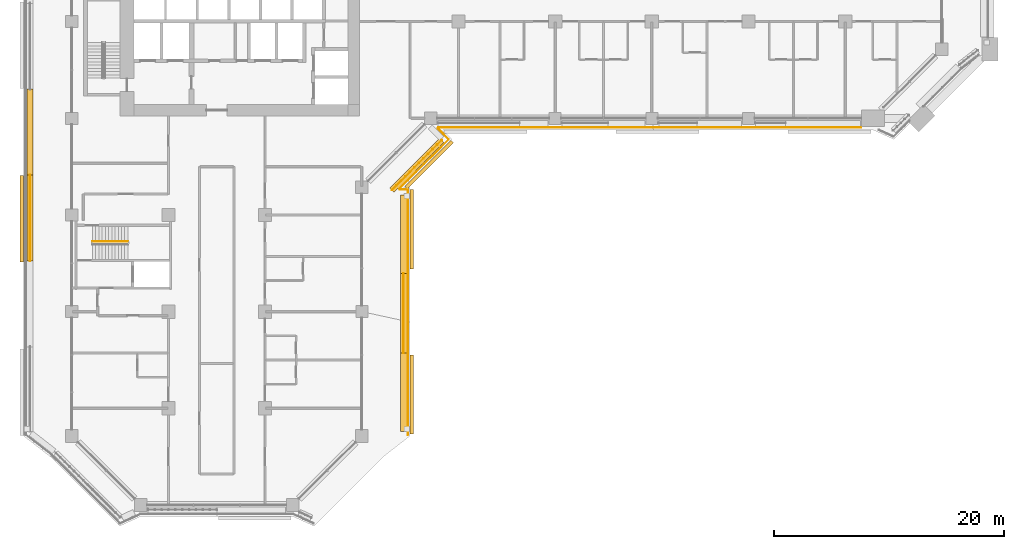
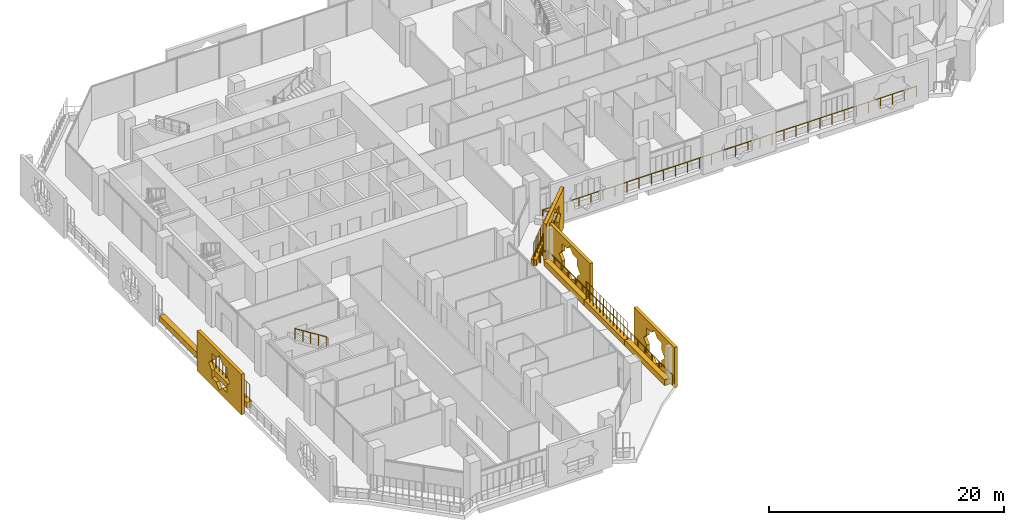
# One storey, part 21 of 27: 10 coverings, 5 railings.
"""IFC4 building model written with IfcOpenShell, lengths in metres."""

import ifcopenshell
import ifcopenshell.guid

model = None  # the IFC model being written
_history = None  # IfcOwnerHistory: only IFC2X3 demands one
_inside = {}  # id of a spatial element -> (the spatial element, [elements in it])
_under = {}  # id of a project, library or spatial element -> (it, [spatial elements below it])
_declared = {}  # id of a project -> (the project, [libraries it declares])
_typed = {}  # id of a type object -> (the type object, [elements of that type])
_made_of = {}  # id of a material, layer set ... -> (it, [elements and type objects made of it])


def new_model(schema):
    """Start an empty IFC model of exactly this schema.

    Asked for "IFC4X3", IfcOpenShell would pick the latest addendum, in which some entities
    have other attributes; the version numbers below select the first issue.
    IFC2X3 requires an IfcOwnerHistory on every rooted entity: one is made here for all.
    """
    global model, _history
    if schema == "IFC4X3":
        model = ifcopenshell.file(schema_version=(4, 3, 0, 0))
    else:
        model = ifcopenshell.file(schema=schema)
    _inside.clear()
    _under.clear()
    _declared.clear()
    _typed.clear()
    _made_of.clear()
    _history = None
    if model.schema == "IFC2X3":
        org = make("IfcOrganization", Name="unknown")
        user = make(
            "IfcPersonAndOrganization",
            ThePerson=make("IfcPerson", FamilyName="unknown"),
            TheOrganization=org,
        )
        app = make(
            "IfcApplication",
            ApplicationDeveloper=org,
            Version="unknown",
            ApplicationFullName="unknown",
            ApplicationIdentifier="unknown",
        )
        _history = make(
            "IfcOwnerHistory",
            OwningUser=user,
            OwningApplication=app,
            ChangeAction="ADDED",
            CreationDate=0,
        )
    return model


def make(cls, **values):
    """One entity of the class cls with the attributes given. An attribute that is None is left unset."""
    return model.create_entity(
        cls, **{name: value for name, value in values.items() if value is not None}
    )


def rooted(cls, **values):
    """An entity with a GlobalId (a new one), such as an element, a storey or a relation."""
    return make(cls, GlobalId=ifcopenshell.guid.new(), OwnerHistory=_history, **values)


def si_unit(unit_type, name, prefix=None):
    """IfcSIUnit, for example si_unit("LENGTHUNIT", "METRE", prefix="MILLI")."""
    return make("IfcSIUnit", UnitType=unit_type, Prefix=prefix, Name=name)


def assignment(units):
    """IfcUnitAssignment: the units of a project."""
    return None if units is None else make("IfcUnitAssignment", Units=units)


def point(xyz):
    """IfcCartesianPoint."""
    return None if xyz is None else make("IfcCartesianPoint", Coordinates=xyz)


def direction(xyz):
    """IfcDirection."""
    return None if xyz is None else make("IfcDirection", DirectionRatios=xyz)


def frame(location, z_axis=None, x_axis=None):
    """IfcAxis2Placement3D, a coordinate frame: its origin and axes. An axis left out is left unset."""
    return make(
        "IfcAxis2Placement3D",
        Location=point(location),
        Axis=direction(z_axis),
        RefDirection=direction(x_axis),
    )


def frame_2d(location, x_axis=None):
    """IfcAxis2Placement2D, a coordinate frame in the plane: its origin and x axis."""
    return make(
        "IfcAxis2Placement2D", Location=point(location), RefDirection=direction(x_axis)
    )


def origin():
    """The frame at (0, 0, 0) with its axes left unset."""
    return frame((0.0, 0.0, 0.0))


def origin_2d():
    """The frame at (0, 0) in the plane with its x axis left unset."""
    return frame_2d((0.0, 0.0))


def place(relative_to, where):
    """IfcLocalPlacement: puts the frame where relative to a parent placement (None: the world)."""
    return make(
        "IfcLocalPlacement", PlacementRelTo=relative_to, RelativePlacement=where
    )


def context(
    kind, dimensions, precision=None, world=None, true_north=None, identifier=None
):
    """IfcGeometricRepresentationContext, for example the 3D "Model" context."""
    return make(
        "IfcGeometricRepresentationContext",
        ContextIdentifier=identifier,
        ContextType=kind,
        CoordinateSpaceDimension=dimensions,
        Precision=precision,
        WorldCoordinateSystem=world,
        TrueNorth=true_north,
    )


def subcontext(parent, identifier, kind, view, scale=None):
    """IfcGeometricRepresentationSubContext, for example "Body" below "Model"."""
    return make(
        "IfcGeometricRepresentationSubContext",
        ContextIdentifier=identifier,
        ContextType=kind,
        ParentContext=parent,
        TargetScale=scale,
        TargetView=view,
    )


def project(units=None, contexts=None):
    """IfcProject with its units and contexts."""
    return rooted(
        "IfcProject",
        Name="project",
        RepresentationContexts=contexts,
        UnitsInContext=assignment(units),
    )


def spatial(cls, under=None, at=None, **own):
    """A site, building, storey or space (cls), placed at a placement, below another one or the project."""
    s = rooted(cls, ObjectPlacement=at, **own)
    if under is not None:
        _under.setdefault(under.id(), (under, []))[1].append(s)
    return s


def polyline(points):
    """IfcPolyline through the points."""
    return make("IfcPolyline", Points=[point(p) for p in points])


def profile(cls, at=None, kind="AREA", **sizes):
    """A parametric profile (cls). Its sizes go by their IFC names, for example OverallWidth=200.0."""
    return make(cls, ProfileType=kind, Position=at, **sizes)


def rectangle(**sizes):
    """IfcRectangleProfileDef."""
    return profile("IfcRectangleProfileDef", **sizes)


def circle(**sizes):
    """IfcCircleProfileDef."""
    return profile("IfcCircleProfileDef", **sizes)


def outline(outer, holes=None, kind="AREA"):
    """IfcArbitraryClosedProfileDef: a profile drawn as a closed curve; with holes, ...WithVoids."""
    if holes is None:
        return make("IfcArbitraryClosedProfileDef", ProfileType=kind, OuterCurve=outer)
    return make(
        "IfcArbitraryProfileDefWithVoids",
        ProfileType=kind,
        OuterCurve=outer,
        InnerCurves=holes,
    )


def extrude(swept, where, along, depth):
    """IfcExtrudedAreaSolid: the profile swept, set in the frame where, extruded along a direction by depth."""
    return make(
        "IfcExtrudedAreaSolid",
        SweptArea=swept,
        Position=where,
        ExtrudedDirection=direction(along),
        Depth=depth,
    )


def shape(context_of_items, identifier, shape_type, items):
    """IfcShapeRepresentation: the items that make up one representation, for example the "Body"."""
    return make(
        "IfcShapeRepresentation",
        ContextOfItems=context_of_items,
        RepresentationIdentifier=identifier,
        RepresentationType=shape_type,
        Items=items,
    )


def material(Name=None, Category=None):
    """IfcMaterial."""
    return make("IfcMaterial", Name=Name, Category=Category)


def material_profile(
    of_material, cross_section, Name=None, Category=None, Priority=None
):
    """IfcMaterialProfile: a cross section and its material."""
    return make(
        "IfcMaterialProfile",
        Name=Name,
        Material=of_material,
        Profile=cross_section,
        Priority=Priority,
        Category=Category,
    )


def profile_set(profiles, Name=None, composite=None):
    """IfcMaterialProfileSet."""
    return make(
        "IfcMaterialProfileSet",
        Name=Name,
        MaterialProfiles=profiles,
        CompositeProfile=composite,
    )


def made_of(thing, what):
    """Note that an element or type object is made of a material, layer set ...; save() writes the relation."""
    if what is not None:
        _made_of.setdefault(what.id(), (what, []))[1].append(thing)
    return thing


def type_object(cls, material=None, **own):
    """A type object (cls), such as IfcWallType, which elements share."""
    return made_of(rooted(cls, **own), material)


def element(
    cls,
    number,
    at=None,
    inside=None,
    cuts=None,
    type_object=None,
    material=None,
    context=None,
    identifier="Body",
    shape_type=None,
    held_by="IfcProductDefinitionShape",
    body=None,
    shapes=None,
    **own,
):
    """One element of the class cls, such as IfcWall. Its Tag is "e" and its number.

    at: its placement. inside: the storey or other place that contains it. cuts: it is an
    opening in that element (IfcRelVoidsElement). A single representation is given by context,
    identifier, shape_type and body (its items); several are given by shapes. held_by: the class
    of the entity that holds the representations. save() writes the other relations.
    """
    e = rooted(cls, Tag="e%d" % number, ObjectPlacement=at, **own)
    if body is not None:
        shapes = [shape(context, identifier, shape_type, body)]
    if shapes is not None:
        e.Representation = make(held_by, Representations=shapes)
    if inside is not None:
        _inside.setdefault(inside.id(), (inside, []))[1].append(e)
    if cuts is not None:
        rooted(
            "IfcRelVoidsElement", RelatingBuildingElement=cuts, RelatedOpeningElement=e
        )
    if type_object is not None:
        _typed.setdefault(type_object.id(), (type_object, []))[1].append(e)
    return made_of(e, material)


def aggregate(whole, parts):
    """IfcRelAggregates: a whole, such as a stair, and the parts it consists of."""
    return rooted("IfcRelAggregates", RelatingObject=whole, RelatedObjects=parts)


def save(model, path):
    """Write the relations noted so far, then the file.

    IfcRelAggregates (storeys below a building ...), IfcRelContainedInSpatialStructure (elements
    in a storey), IfcRelDefinesByType, IfcRelAssociatesMaterial and IfcRelDeclares: one each for
    every whole, place, type object, material and project.
    """
    for whole, parts in _under.values():
        aggregate(whole, parts)
    for where, things in _inside.values():
        rooted(
            "IfcRelContainedInSpatialStructure",
            RelatedElements=things,
            RelatingStructure=where,
        )
    for kind, things in _typed.values():
        rooted("IfcRelDefinesByType", RelatedObjects=things, RelatingType=kind)
    for what, things in _made_of.values():
        rooted("IfcRelAssociatesMaterial", RelatedObjects=things, RelatingMaterial=what)
    for by, libraries in _declared.values():
        rooted("IfcRelDeclares", RelatingContext=by, RelatedDefinitions=libraries)
    model.write(path)


model = new_model("IFC4")

# Units and contexts
model_context = context("Model", 3, precision=1e-05, world=origin(), true_north=direction((0.0, 1.0)))
body_context = subcontext(model_context, "Body", "Model", "MODEL_VIEW")
ifc_project = project(units=[si_unit("LENGTHUNIT", "METRE"), si_unit("AREAUNIT", "SQUARE_METRE"), si_unit("VOLUMEUNIT", "CUBIC_METRE"), si_unit("PLANEANGLEUNIT", "RADIAN"), si_unit("MASSUNIT", "GRAM", prefix="KILO")], contexts=[model_context])

# Site, building, storey
site_placement = place(None, origin())
site = spatial("IfcSite", under=ifc_project, at=site_placement, CompositionType="ELEMENT")
building_placement = place(site_placement, origin())
building = spatial("IfcBuilding", under=site, at=building_placement, Name="Kawkab Arch Medical Tower", CompositionType="ELEMENT")
storey_placement = place(building_placement, frame((0.0, 0.0, 115.60009765625)))
storey = spatial("IfcBuildingStorey", under=building, at=storey_placement, Name="L26", CompositionType="ELEMENT", Elevation=115.60009765625)

# Railing
ifc_material_1 = material(Name="Bronze anodised aluminium guard", Category="aluminium")
railing_type_1 = type_object("IfcRailingType", Name="Loggia and terrace guard 1100", PredefinedType="GUARDRAIL", material=ifc_material_1)
railing_1_placement = place(storey_placement, frame((68.570068359375, -26.0, 0.0)))
element("IfcRailing", 1, at=railing_1_placement, inside=storey, type_object=railing_type_1, Name="Guard L26.LOG-01.1.8", PredefinedType="GUARDRAIL", context=body_context, shape_type="SweptSolid", body=[
    extrude(circle(Radius=0.02392578125, at=origin_2d()), frame((0.0, 0.0, 1.076171875), z_axis=(-1.0, 0.0, 0.0), x_axis=(0.0, -1.0, 0.0)), (0.0, 0.0, 1.0), 36.719970703125),
    extrude(circle(Radius=0.02392578125, at=origin_2d()), frame((-36.719970703125, 0.0, 1.076171875), z_axis=(-0.383763674343, -0.923431341387, 0.0), x_axis=(0.923431341387, -0.383763674343, 0.0)), (0.0, 0.0, 1.0), 0.101806640625),
    extrude(circle(Radius=0.02392578125, at=origin_2d()), frame((-36.759033203125, -0.093994140625, 1.076171875), z_axis=(0.707015335112, -0.707198215437, 0.0), x_axis=(0.707198215437, 0.707015335112, 0.0)), (0.0, 0.0, 1.0), 1.3349609375),
    extrude(circle(Radius=0.02392578125, at=origin_2d()), frame((-35.815185546875, -1.0380859375, 1.076171875), z_axis=(-0.707025867263, -0.707187685852, 0.0), x_axis=(0.707187685852, -0.707025867263, 0.0)), (0.0, 0.0, 1.0), 6.034912109375),
    extrude(circle(Radius=0.02392578125, at=origin_2d()), frame((-40.08203125, -5.305908203125, 1.076171875), z_axis=(0.383763674343, -0.923431341387, 0.0), x_axis=(0.923431341387, 0.383763674343, 0.0)), (0.0, 0.0, 1.0), 0.101806640625),
    extrude(circle(Radius=0.02392578125, at=origin_2d()), frame((-40.04296875, -5.39990234375, 1.076171875), z_axis=(1.0, 0.0, 0.0), x_axis=(0.0, 1.0, 0.0)), (0.0, 0.0, 1.0), 0.6728515625),
    extrude(circle(Radius=0.02392578125, at=origin_2d()), frame((-39.3701171875, -5.39990234375, 1.076171875), z_axis=(0.0, -1.0, 0.0), x_axis=(1.0, 0.0, 0.0)), (0.0, 0.0, 1.0), 21.302001953125),
    extrude(circle(Radius=0.02099609375, at=origin_2d()), origin(), (0.0, 0.0, 1.0), 1.052001953125),
    extrude(circle(Radius=0.02099609375, at=origin_2d()), frame((-1.1845703125, 0.0, 0.0)), (0.0, 0.0, 1.0), 1.052001953125),
    extrude(circle(Radius=0.02099609375, at=origin_2d()), frame((-2.369140625, 0.0, 0.0)), (0.0, 0.0, 1.0), 1.052001953125),
    extrude(circle(Radius=0.02099609375, at=origin_2d()), frame((-3.553466796875, 0.0, 0.0)), (0.0, 0.0, 1.0), 1.052001953125),
    extrude(circle(Radius=0.02099609375, at=origin_2d()), frame((-4.738037109375, 0.0, 0.0)), (0.0, 0.0, 1.0), 1.052001953125),
    extrude(circle(Radius=0.02099609375, at=origin_2d()), frame((-5.922607421875, 0.0, 0.0)), (0.0, 0.0, 1.0), 1.052001953125),
    extrude(circle(Radius=0.02099609375, at=origin_2d()), frame((-7.107177734375, 0.0, 0.0)), (0.0, 0.0, 1.0), 1.052001953125),
    extrude(circle(Radius=0.02099609375, at=origin_2d()), frame((-8.29150390625, 0.0, 0.0)), (0.0, 0.0, 1.0), 1.052001953125),
    extrude(circle(Radius=0.02099609375, at=origin_2d()), frame((-9.47607421875, 0.0, 0.0)), (0.0, 0.0, 1.0), 1.052001953125),
    extrude(circle(Radius=0.02099609375, at=origin_2d()), frame((-10.66064453125, 0.0, 0.0)), (0.0, 0.0, 1.0), 1.052001953125),
    extrude(circle(Radius=0.02099609375, at=origin_2d()), frame((-11.84521484375, 0.0, 0.0)), (0.0, 0.0, 1.0), 1.052001953125),
    extrude(circle(Radius=0.02099609375, at=origin_2d()), frame((-13.02978515625, 0.0, 0.0)), (0.0, 0.0, 1.0), 1.052001953125),
    extrude(circle(Radius=0.02099609375, at=origin_2d()), frame((-14.214111328125, 0.0, 0.0)), (0.0, 0.0, 1.0), 1.052001953125),
    extrude(circle(Radius=0.02099609375, at=origin_2d()), frame((-15.398681640625, 0.0, 0.0)), (0.0, 0.0, 1.0), 1.052001953125),
    extrude(circle(Radius=0.02099609375, at=origin_2d()), frame((-16.583251953125, 0.0, 0.0)), (0.0, 0.0, 1.0), 1.052001953125),
    extrude(circle(Radius=0.02099609375, at=origin_2d()), frame((-17.767822265625, 0.0, 0.0)), (0.0, 0.0, 1.0), 1.052001953125),
    extrude(circle(Radius=0.02099609375, at=origin_2d()), frame((-18.9521484375, 0.0, 0.0)), (0.0, 0.0, 1.0), 1.052001953125),
    extrude(circle(Radius=0.02099609375, at=origin_2d()), frame((-20.13671875, 0.0, 0.0)), (0.0, 0.0, 1.0), 1.052001953125),
    extrude(circle(Radius=0.02099609375, at=origin_2d()), frame((-21.3212890625, 0.0, 0.0)), (0.0, 0.0, 1.0), 1.052001953125),
    extrude(circle(Radius=0.02099609375, at=origin_2d()), frame((-22.505859375, 0.0, 0.0)), (0.0, 0.0, 1.0), 1.052001953125),
    extrude(circle(Radius=0.02099609375, at=origin_2d()), frame((-23.690185546875, 0.0, 0.0)), (0.0, 0.0, 1.0), 1.052001953125),
    extrude(circle(Radius=0.02099609375, at=origin_2d()), frame((-24.874755859375, 0.0, 0.0)), (0.0, 0.0, 1.0), 1.052001953125),
    extrude(circle(Radius=0.02099609375, at=origin_2d()), frame((-26.059326171875, 0.0, 0.0)), (0.0, 0.0, 1.0), 1.052001953125),
    extrude(circle(Radius=0.02099609375, at=origin_2d()), frame((-27.243896484375, 0.0, 0.0)), (0.0, 0.0, 1.0), 1.052001953125),
    extrude(circle(Radius=0.02099609375, at=origin_2d()), frame((-28.428466796875, 0.0, 0.0)), (0.0, 0.0, 1.0), 1.052001953125),
    extrude(circle(Radius=0.02099609375, at=origin_2d()), frame((-29.61279296875, 0.0, 0.0)), (0.0, 0.0, 1.0), 1.052001953125),
    extrude(circle(Radius=0.02099609375, at=origin_2d()), frame((-30.79736328125, 0.0, 0.0)), (0.0, 0.0, 1.0), 1.052001953125),
    extrude(circle(Radius=0.02099609375, at=origin_2d()), frame((-31.98193359375, 0.0, 0.0)), (0.0, 0.0, 1.0), 1.052001953125),
    extrude(circle(Radius=0.02099609375, at=origin_2d()), frame((-33.16650390625, 0.0, 0.0)), (0.0, 0.0, 1.0), 1.052001953125),
    extrude(circle(Radius=0.02099609375, at=origin_2d()), frame((-34.350830078125, 0.0, 0.0)), (0.0, 0.0, 1.0), 1.052001953125),
    extrude(circle(Radius=0.02099609375, at=origin_2d()), frame((-35.535400390625, 0.0, 0.0)), (0.0, 0.0, 1.0), 1.052001953125),
    extrude(circle(Radius=0.02099609375, at=origin_2d()), frame((-36.719970703125, 0.0, 0.0)), (0.0, 0.0, 1.0), 1.052001953125),
    extrude(circle(Radius=0.02099609375, at=origin_2d()), frame((-36.759033203125, -0.093994140625, 0.0)), (0.0, 0.0, 1.0), 1.052001953125),
    extrude(circle(Radius=0.02099609375, at=origin_2d()), frame((-36.287109375, -0.56591796875, 0.0)), (0.0, 0.0, 1.0), 1.052001953125),
    extrude(circle(Radius=0.02099609375, at=origin_2d()), frame((-35.815185546875, -1.0380859375, 0.0)), (0.0, 0.0, 1.0), 1.052001953125),
    extrude(circle(Radius=0.02099609375, at=origin_2d()), frame((-36.5263671875, -1.74951171875, 0.0)), (0.0, 0.0, 1.0), 1.052001953125),
    extrude(circle(Radius=0.02099609375, at=origin_2d()), frame((-37.237548828125, -2.460693359375, 0.0)), (0.0, 0.0, 1.0), 1.052001953125),
    extrude(circle(Radius=0.02099609375, at=origin_2d()), frame((-37.94873046875, -3.171875, 0.0)), (0.0, 0.0, 1.0), 1.052001953125),
    extrude(circle(Radius=0.02099609375, at=origin_2d()), frame((-38.65966796875, -3.88330078125, 0.0)), (0.0, 0.0, 1.0), 1.052001953125),
    extrude(circle(Radius=0.02099609375, at=origin_2d()), frame((-39.370849609375, -4.5947265625, 0.0)), (0.0, 0.0, 1.0), 1.052001953125),
    extrude(circle(Radius=0.02099609375, at=origin_2d()), frame((-40.08203125, -5.305908203125, 0.0)), (0.0, 0.0, 1.0), 1.052001953125),
    extrude(circle(Radius=0.02099609375, at=origin_2d()), frame((-40.04296875, -5.39990234375, 0.0)), (0.0, 0.0, 1.0), 1.052001953125),
    extrude(circle(Radius=0.02099609375, at=origin_2d()), frame((-39.3701171875, -5.39990234375, 0.0)), (0.0, 0.0, 1.0), 1.052001953125),
    extrude(circle(Radius=0.02099609375, at=origin_2d()), frame((-39.3701171875, -6.583251953125, 0.0)), (0.0, 0.0, 1.0), 1.052001953125),
    extrude(circle(Radius=0.02099609375, at=origin_2d()), frame((-39.3701171875, -7.766845703125, 0.0)), (0.0, 0.0, 1.0), 1.052001953125),
    extrude(circle(Radius=0.02099609375, at=origin_2d()), frame((-39.3701171875, -8.9501953125, 0.0)), (0.0, 0.0, 1.0), 1.052001953125),
    extrude(circle(Radius=0.02099609375, at=origin_2d()), frame((-39.3701171875, -10.1337890625, 0.0)), (0.0, 0.0, 1.0), 1.052001953125),
    extrude(circle(Radius=0.02099609375, at=origin_2d()), frame((-39.3701171875, -11.317138671875, 0.0)), (0.0, 0.0, 1.0), 1.052001953125),
    extrude(circle(Radius=0.02099609375, at=origin_2d()), frame((-39.3701171875, -12.50048828125, 0.0)), (0.0, 0.0, 1.0), 1.052001953125),
    extrude(circle(Radius=0.02099609375, at=origin_2d()), frame((-39.3701171875, -13.68408203125, 0.0)), (0.0, 0.0, 1.0), 1.052001953125),
    extrude(circle(Radius=0.02099609375, at=origin_2d()), frame((-39.3701171875, -14.867431640625, 0.0)), (0.0, 0.0, 1.0), 1.052001953125),
    extrude(circle(Radius=0.02099609375, at=origin_2d()), frame((-39.3701171875, -16.05078125, 0.0)), (0.0, 0.0, 1.0), 1.052001953125),
    extrude(circle(Radius=0.02099609375, at=origin_2d()), frame((-39.3701171875, -17.234375, 0.0)), (0.0, 0.0, 1.0), 1.052001953125),
    extrude(circle(Radius=0.02099609375, at=origin_2d()), frame((-39.3701171875, -18.417724609375, 0.0)), (0.0, 0.0, 1.0), 1.052001953125),
    extrude(circle(Radius=0.02099609375, at=origin_2d()), frame((-39.3701171875, -19.601318359375, 0.0)), (0.0, 0.0, 1.0), 1.052001953125),
    extrude(circle(Radius=0.02099609375, at=origin_2d()), frame((-39.3701171875, -20.78466796875, 0.0)), (0.0, 0.0, 1.0), 1.052001953125),
    extrude(circle(Radius=0.02099609375, at=origin_2d()), frame((-39.3701171875, -21.968017578125, 0.0)), (0.0, 0.0, 1.0), 1.052001953125),
    extrude(circle(Radius=0.02099609375, at=origin_2d()), frame((-39.3701171875, -23.151611328125, 0.0)), (0.0, 0.0, 1.0), 1.052001953125),
    extrude(circle(Radius=0.02099609375, at=origin_2d()), frame((-39.3701171875, -24.3349609375, 0.0)), (0.0, 0.0, 1.0), 1.052001953125),
    extrude(circle(Radius=0.02099609375, at=origin_2d()), frame((-39.3701171875, -25.5185546875, 0.0)), (0.0, 0.0, 1.0), 1.052001953125),
    extrude(circle(Radius=0.02099609375, at=origin_2d()), frame((-39.3701171875, -26.701904296875, 0.0)), (0.0, 0.0, 1.0), 1.052001953125),
])

# Coverings
ifc_material_2 = material(Name="Bronze anodised aluminium mashrabiya panel, eight-point star pattern", Category="aluminium")
ifc_material_profile_1 = material_profile(ifc_material_2, outline(polyline([(-2.85009765625, -2.10009765625), (2.85009765625, -2.10009765625), (2.85009765625, 2.10009765625), (-2.85009765625, 2.10009765625), (-2.85009765625, -2.10009765625)]), holes=[polyline([(1.800048828125, 0.0), (1.272705078125, 0.527099609375), (1.272705078125, 1.272705078125), (0.527099609375, 1.272705078125), (0.0, 1.800048828125), (-0.527099609375, 1.272705078125), (-1.272705078125, 1.272705078125), (-1.272705078125, 0.527099609375), (-1.800048828125, 0.0), (-1.272705078125, -0.527099609375), (-1.272705078125, -1.272705078125), (-0.527099609375, -1.272705078125), (0.0, -1.800048828125), (0.527099609375, -1.272705078125), (1.272705078125, -1.272705078125), (1.272705078125, -0.527099609375), (1.800048828125, 0.0)])]), Name="Mashrabiya panel 5700x4200")
ifc_profile_set_1 = profile_set([ifc_material_profile_1], Name="Bronze anodised aluminium mashrabiya panel, eight-point star pattern")
covering_type_1 = type_object("IfcCoveringType", Name="Mashrabiya panel 5700 x 4200", PredefinedType="USERDEFINED", material=ifc_profile_set_1)
covering_1_placement = place(storey_placement, frame((30.94775390625, -29.128662109375, 1.699951171875), z_axis=(0.707106781187, -0.707106781187, 0.0), x_axis=(0.707106781187, 0.707106781187, 0.0)))
element("IfcCovering", 2, at=covering_1_placement, inside=storey, type_object=covering_type_1, Name="Mashrabiya panel L26.LOG-01-01.14", ObjectType="SCREEN", PredefinedType="USERDEFINED", context=body_context, shape_type="SweptSolid", body=[
    extrude(outline(polyline([(-2.85009765625, -2.10009765625), (2.85009765625, -2.10009765625), (2.85009765625, 2.10009765625), (-2.85009765625, 2.10009765625), (-2.85009765625, -2.10009765625)]), holes=[polyline([(1.800048828125, 0.0), (1.272705078125, 0.527099609375), (1.272705078125, 1.272705078125), (0.527099609375, 1.272705078125), (0.0, 1.800048828125), (-0.527099609375, 1.272705078125), (-1.272705078125, 1.272705078125), (-1.272705078125, 0.527099609375), (-1.800048828125, 0.0), (-1.272705078125, -0.527099609375), (-1.272705078125, -1.272705078125), (-0.527099609375, -1.272705078125), (0.0, -1.800048828125), (0.527099609375, -1.272705078125), (1.272705078125, -1.272705078125), (1.272705078125, -0.527099609375), (1.800048828125, 0.0)])]), origin(), (0.0, 0.0, 1.0), 0.300048828125),
])
ifc_material_3 = material(Name="Bronze anodised aluminium mashrabiya panel, eight-point star pattern", Category="aluminium")
ifc_material_profile_2 = material_profile(ifc_material_3, outline(polyline([(-3.449951171875, -2.10009765625), (3.449951171875, -2.10009765625), (3.449951171875, 2.10009765625), (-3.449951171875, 2.10009765625), (-3.449951171875, -2.10009765625)]), holes=[polyline([(1.800048828125, 0.0), (1.272705078125, 0.527099609375), (1.272705078125, 1.272705078125), (0.527099609375, 1.272705078125), (0.0, 1.800048828125), (-0.527099609375, 1.272705078125), (-1.272705078125, 1.272705078125), (-1.272705078125, 0.527099609375), (-1.800048828125, 0.0), (-1.272705078125, -0.527099609375), (-1.272705078125, -1.272705078125), (-0.527099609375, -1.272705078125), (0.0, -1.800048828125), (0.527099609375, -1.272705078125), (1.272705078125, -1.272705078125), (1.272705078125, -0.527099609375), (1.800048828125, 0.0)])]), Name="Mashrabiya panel 6900x4200")
ifc_profile_set_2 = profile_set([ifc_material_profile_2], Name="Bronze anodised aluminium mashrabiya panel, eight-point star pattern")
covering_type_2 = type_object("IfcCoveringType", Name="Mashrabiya panel 6900 x 4200", PredefinedType="USERDEFINED", material=ifc_profile_set_2)
for number, where, z_axis, x_axis, name in (
    (3, (29.39990234375, -34.827392578125, 1.699951171875), (1.0, 0.0, 0.0), (0.0, 1.0, 0.0), "Mashrabiya panel L26.LOG-01-01.15"),
    (4, (29.39990234375, -49.197509765625, 1.699951171875), (1.0, 0.0, 0.0), (0.0, 1.0, 0.0), "Mashrabiya panel L26.LOG-01-01.16"),
):
    element("IfcCovering", number, at=place(storey_placement, frame(where, z_axis=z_axis, x_axis=x_axis)), inside=storey, type_object=covering_type_2, Name=name, ObjectType="SCREEN", PredefinedType="USERDEFINED", context=body_context, shape_type="SweptSolid", body=[
        extrude(outline(polyline([(-3.449951171875, -2.10009765625), (3.449951171875, -2.10009765625), (3.449951171875, 2.10009765625), (-3.449951171875, 2.10009765625), (-3.449951171875, -2.10009765625)]), holes=[polyline([(1.800048828125, 0.0), (1.272705078125, 0.527099609375), (1.272705078125, 1.272705078125), (0.527099609375, 1.272705078125), (0.0, 1.800048828125), (-0.527099609375, 1.272705078125), (-1.272705078125, 1.272705078125), (-1.272705078125, 0.527099609375), (-1.800048828125, 0.0), (-1.272705078125, -0.527099609375), (-1.272705078125, -1.272705078125), (-0.527099609375, -1.272705078125), (0.0, -1.800048828125), (0.527099609375, -1.272705078125), (1.272705078125, -1.272705078125), (1.272705078125, -0.527099609375), (1.800048828125, 0.0)])]), origin(), (0.0, 0.0, 1.0), 0.300048828125),
    ])
ifc_material_4 = material(Name="Bronze anodised aluminium mashrabiya panel, eight-point star pattern", Category="aluminium")
ifc_material_profile_3 = material_profile(ifc_material_4, outline(polyline([(-3.75, -2.10009765625), (3.75, -2.10009765625), (3.75, 2.10009765625), (-3.75, 2.10009765625), (-3.75, -2.10009765625)]), holes=[polyline([(1.800048828125, 0.0), (1.272705078125, 0.527099609375), (1.272705078125, 1.272705078125), (0.527099609375, 1.272705078125), (0.0, 1.800048828125), (-0.527099609375, 1.272705078125), (-1.272705078125, 1.272705078125), (-1.272705078125, 0.527099609375), (-1.800048828125, 0.0), (-1.272705078125, -0.527099609375), (-1.272705078125, -1.272705078125), (-0.527099609375, -1.272705078125), (0.0, -1.800048828125), (0.527099609375, -1.272705078125), (1.272705078125, -1.272705078125), (1.272705078125, -0.527099609375), (1.800048828125, 0.0)])]), Name="Mashrabiya panel 7500x4200")
ifc_profile_set_3 = profile_set([ifc_material_profile_3], Name="Bronze anodised aluminium mashrabiya panel, eight-point star pattern")
covering_type_3 = type_object("IfcCoveringType", Name="Mashrabiya panel 7500 x 4200", PredefinedType="USERDEFINED", material=ifc_profile_set_3)
covering_2_placement = place(storey_placement, frame((-4.199951171875, -33.94140625, 1.699951171875), z_axis=(-1.0, 0.0, 0.0), x_axis=(0.0, -1.0, 0.0)))
element("IfcCovering", 5, at=covering_2_placement, inside=storey, type_object=covering_type_3, Name="Mashrabiya panel L26.LOG-01-01.3", ObjectType="SCREEN", PredefinedType="USERDEFINED", context=body_context, shape_type="SweptSolid", body=[
    extrude(outline(polyline([(-3.75, -2.10009765625), (3.75, -2.10009765625), (3.75, 2.10009765625), (-3.75, 2.10009765625), (-3.75, -2.10009765625)]), holes=[polyline([(1.800048828125, 0.0), (1.272705078125, 0.527099609375), (1.272705078125, 1.272705078125), (0.527099609375, 1.272705078125), (0.0, 1.800048828125), (-0.527099609375, 1.272705078125), (-1.272705078125, 1.272705078125), (-1.272705078125, 0.527099609375), (-1.800048828125, 0.0), (-1.272705078125, -0.527099609375), (-1.272705078125, -1.272705078125), (-0.527099609375, -1.272705078125), (0.0, -1.800048828125), (0.527099609375, -1.272705078125), (1.272705078125, -1.272705078125), (1.272705078125, -0.527099609375), (1.800048828125, 0.0)])]), origin(), (0.0, 0.0, 1.0), 0.300048828125),
])
ifc_material_5 = material(Name="Planting soil in a precast trough", Category="concrete")
ifc_material_profile_4 = material_profile(ifc_material_5, rectangle(XDim=0.5, YDim=0.60009765625, at=origin_2d()), Name="Trough 500x600")
ifc_profile_set_4 = profile_set([ifc_material_profile_4], Name="Planting soil in a precast trough")
covering_type_4 = type_object("IfcCoveringType", Name="Planter trough 500 x 600", PredefinedType="USERDEFINED", material=ifc_profile_set_4)
covering_3_placement = place(storey_placement, frame((-3.6201171875, -37.593017578125, 0.2998046875), z_axis=(0.0, 1.0, 0.0), x_axis=(-1.0, 0.0, 0.0)))
element("IfcCovering", 6, at=covering_3_placement, inside=storey, type_object=covering_type_4, Name="Planter L26.LOG-01-01.9", ObjectType="PLANTER", PredefinedType="USERDEFINED", context=body_context, shape_type="SweptSolid", body=[
    extrude(rectangle(XDim=0.5, YDim=0.60009765625, at=origin_2d()), origin(), (0.0, 0.0, 1.0), 7.4619140625),
])
covering_4_placement = place(storey_placement, frame((-3.6201171875, -30.131103515625, 0.2998046875), z_axis=(0.0, 1.0, 0.0), x_axis=(-1.0, 0.0, 0.0)))
element("IfcCovering", 7, at=covering_4_placement, inside=storey, type_object=covering_type_4, Name="Planter L26.LOG-01-01.10", ObjectType="PLANTER", PredefinedType="USERDEFINED", context=body_context, shape_type="SweptSolid", body=[
    extrude(rectangle(XDim=0.5, YDim=0.60009765625, at=origin_2d()), origin(), (0.0, 0.0, 1.0), 7.462158203125),
])
covering_5_placement = place(storey_placement, frame((32.14697265625, -27.10888671875, 0.2998046875), z_axis=(-0.707007043994, -0.707206504313, 0.0), x_axis=(0.707206504313, -0.707007043994, 0.0)))
element("IfcCovering", 8, at=covering_5_placement, inside=storey, type_object=covering_type_4, Name="Planter L26.LOG-01-01.43", ObjectType="PLANTER", PredefinedType="USERDEFINED", context=body_context, shape_type="SweptSolid", body=[
    extrude(rectangle(XDim=0.5, YDim=0.60009765625, at=origin_2d()), origin(), (0.0, 0.0, 1.0), 6.1201171875),
])
covering_6_placement = place(storey_placement, frame((28.820068359375, -31.8798828125, 0.2998046875), z_axis=(0.0, -1.0, 0.0), x_axis=(1.0, 0.0, 0.0)))
element("IfcCovering", 9, at=covering_6_placement, inside=storey, type_object=covering_type_4, Name="Planter L26.LOG-01-01.44", ObjectType="PLANTER", PredefinedType="USERDEFINED", context=body_context, shape_type="SweptSolid", body=[
    extrude(rectangle(XDim=0.5, YDim=0.60009765625, at=origin_2d()), origin(), (0.0, 0.0, 1.0), 6.81201171875),
])
covering_7_placement = place(storey_placement, frame((28.820068359375, -38.69189453125, 0.2998046875), z_axis=(0.0, -1.0, 0.0), x_axis=(1.0, 0.0, 0.0)))
element("IfcCovering", 10, at=covering_7_placement, inside=storey, type_object=covering_type_4, Name="Planter L26.LOG-01-01.45", ObjectType="PLANTER", PredefinedType="USERDEFINED", context=body_context, shape_type="SweptSolid", body=[
    extrude(rectangle(XDim=0.5, YDim=0.60009765625, at=origin_2d()), origin(), (0.0, 0.0, 1.0), 6.912109375),
])
covering_8_placement = place(storey_placement, frame((28.820068359375, -45.60400390625, 0.2998046875), z_axis=(0.0, -1.0, 0.0), x_axis=(1.0, 0.0, 0.0)))
element("IfcCovering", 11, at=covering_8_placement, inside=storey, type_object=covering_type_4, Name="Planter L26.LOG-01-01.46", ObjectType="PLANTER", PredefinedType="USERDEFINED", context=body_context, shape_type="SweptSolid", body=[
    extrude(rectangle(XDim=0.5, YDim=0.60009765625, at=origin_2d()), origin(), (0.0, 0.0, 1.0), 6.81201171875),
])

# Railings
ifc_material_6 = material(Name="Bronze anodised aluminium trellis for climbing plants", Category="aluminium")
railing_type_2 = type_object("IfcRailingType", Name="Planting trellis 2400", PredefinedType="USERDEFINED", material=ifc_material_6)
railing_2_placement = place(storey_placement, frame((-3.6201171875, -37.593017578125, 0.0)))
element("IfcRailing", 12, at=railing_2_placement, inside=storey, type_object=railing_type_2, Name="Planting trellis L26.LOG-01-01.9", ObjectType="TRELLIS", PredefinedType="USERDEFINED", context=body_context, shape_type="SweptSolid", body=[
    extrude(circle(Radius=0.01513671875, at=origin_2d()), frame((0.0, 0.0, 2.384765625), z_axis=(0.0, 1.0, 0.0), x_axis=(-1.0, 0.0, 0.0)), (0.0, 0.0, 1.0), 7.4619140625),
    extrude(circle(Radius=0.030029296875, at=origin_2d()), origin(), (0.0, 0.0, 1.0), 2.369873046875),
    extrude(circle(Radius=0.030029296875, at=origin_2d()), frame((0.0, 0.573974609375, 0.0)), (0.0, 0.0, 1.0), 2.369873046875),
    extrude(circle(Radius=0.030029296875, at=origin_2d()), frame((0.0, 1.14794921875, 0.0)), (0.0, 0.0, 1.0), 2.369873046875),
    extrude(circle(Radius=0.030029296875, at=origin_2d()), frame((0.0, 1.721923828125, 0.0)), (0.0, 0.0, 1.0), 2.369873046875),
    extrude(circle(Radius=0.030029296875, at=origin_2d()), frame((0.0, 2.2958984375, 0.0)), (0.0, 0.0, 1.0), 2.369873046875),
    extrude(circle(Radius=0.030029296875, at=origin_2d()), frame((0.0, 2.869873046875, 0.0)), (0.0, 0.0, 1.0), 2.369873046875),
    extrude(circle(Radius=0.030029296875, at=origin_2d()), frame((0.0, 3.44384765625, 0.0)), (0.0, 0.0, 1.0), 2.369873046875),
    extrude(circle(Radius=0.030029296875, at=origin_2d()), frame((0.0, 4.01806640625, 0.0)), (0.0, 0.0, 1.0), 2.369873046875),
    extrude(circle(Radius=0.030029296875, at=origin_2d()), frame((0.0, 4.592041015625, 0.0)), (0.0, 0.0, 1.0), 2.369873046875),
    extrude(circle(Radius=0.030029296875, at=origin_2d()), frame((0.0, 5.166015625, 0.0)), (0.0, 0.0, 1.0), 2.369873046875),
    extrude(circle(Radius=0.030029296875, at=origin_2d()), frame((0.0, 5.739990234375, 0.0)), (0.0, 0.0, 1.0), 2.369873046875),
    extrude(circle(Radius=0.030029296875, at=origin_2d()), frame((0.0, 6.31396484375, 0.0)), (0.0, 0.0, 1.0), 2.369873046875),
    extrude(circle(Radius=0.030029296875, at=origin_2d()), frame((0.0, 6.887939453125, 0.0)), (0.0, 0.0, 1.0), 2.369873046875),
    extrude(circle(Radius=0.030029296875, at=origin_2d()), frame((0.0, 7.4619140625, 0.0)), (0.0, 0.0, 1.0), 2.369873046875),
])
railing_3_placement = place(storey_placement, frame((32.14697265625, -27.10888671875, 0.0)))
element("IfcRailing", 13, at=railing_3_placement, inside=storey, type_object=railing_type_2, Name="Planting trellis L26.LOG-01-01.43", ObjectType="TRELLIS", PredefinedType="USERDEFINED", context=body_context, shape_type="SweptSolid", body=[
    extrude(circle(Radius=0.01513671875, at=origin_2d()), frame((0.0, 0.0, 2.384765625), z_axis=(-0.707007043994, -0.707206504313, 0.0), x_axis=(0.707206504313, -0.707007043994, 0.0)), (0.0, 0.0, 1.0), 6.1201171875),
    extrude(circle(Radius=0.030029296875, at=origin_2d()), origin(), (0.0, 0.0, 1.0), 2.369873046875),
    extrude(circle(Radius=0.030029296875, at=origin_2d()), frame((-0.393310546875, -0.3935546875, 0.0)), (0.0, 0.0, 1.0), 2.369873046875),
    extrude(circle(Radius=0.030029296875, at=origin_2d()), frame((-0.78662109375, -0.786865234375, 0.0)), (0.0, 0.0, 1.0), 2.369873046875),
    extrude(circle(Radius=0.030029296875, at=origin_2d()), frame((-1.18017578125, -1.180419921875, 0.0)), (0.0, 0.0, 1.0), 2.369873046875),
    extrude(circle(Radius=0.030029296875, at=origin_2d()), frame((-1.573486328125, -1.573974609375, 0.0)), (0.0, 0.0, 1.0), 2.369873046875),
    extrude(circle(Radius=0.030029296875, at=origin_2d()), frame((-1.966796875, -1.96728515625, 0.0)), (0.0, 0.0, 1.0), 2.369873046875),
    extrude(circle(Radius=0.030029296875, at=origin_2d()), frame((-2.360107421875, -2.36083984375, 0.0)), (0.0, 0.0, 1.0), 2.369873046875),
    extrude(circle(Radius=0.030029296875, at=origin_2d()), frame((-2.75341796875, -2.754150390625, 0.0)), (0.0, 0.0, 1.0), 2.369873046875),
    extrude(circle(Radius=0.030029296875, at=origin_2d()), frame((-3.146728515625, -3.147705078125, 0.0)), (0.0, 0.0, 1.0), 2.369873046875),
    extrude(circle(Radius=0.030029296875, at=origin_2d()), frame((-3.540283203125, -3.541259765625, 0.0)), (0.0, 0.0, 1.0), 2.369873046875),
    extrude(circle(Radius=0.030029296875, at=origin_2d()), frame((-3.93359375, -3.9345703125, 0.0)), (0.0, 0.0, 1.0), 2.369873046875),
    extrude(circle(Radius=0.030029296875, at=origin_2d()), frame((-4.326904296875, -4.328125, 0.0)), (0.0, 0.0, 1.0), 2.369873046875),
])
railing_4_placement = place(storey_placement, frame((28.820068359375, -38.69189453125, 0.0)))
element("IfcRailing", 14, at=railing_4_placement, inside=storey, type_object=railing_type_2, Name="Planting trellis L26.LOG-01-01.45", ObjectType="TRELLIS", PredefinedType="USERDEFINED", context=body_context, shape_type="SweptSolid", body=[
    extrude(circle(Radius=0.01513671875, at=origin_2d()), frame((0.0, 0.0, 2.384765625), z_axis=(0.0, -1.0, 0.0), x_axis=(1.0, 0.0, 0.0)), (0.0, 0.0, 1.0), 6.912109375),
    extrude(circle(Radius=0.030029296875, at=origin_2d()), origin(), (0.0, 0.0, 1.0), 2.369873046875),
    extrude(circle(Radius=0.030029296875, at=origin_2d()), frame((0.0, -0.575927734375, 0.0)), (0.0, 0.0, 1.0), 2.369873046875),
    extrude(circle(Radius=0.030029296875, at=origin_2d()), frame((0.0, -1.152099609375, 0.0)), (0.0, 0.0, 1.0), 2.369873046875),
    extrude(circle(Radius=0.030029296875, at=origin_2d()), frame((0.0, -1.72802734375, 0.0)), (0.0, 0.0, 1.0), 2.369873046875),
    extrude(circle(Radius=0.030029296875, at=origin_2d()), frame((0.0, -2.303955078125, 0.0)), (0.0, 0.0, 1.0), 2.369873046875),
    extrude(circle(Radius=0.030029296875, at=origin_2d()), frame((0.0, -2.880126953125, 0.0)), (0.0, 0.0, 1.0), 2.369873046875),
    extrude(circle(Radius=0.030029296875, at=origin_2d()), frame((0.0, -3.4560546875, 0.0)), (0.0, 0.0, 1.0), 2.369873046875),
    extrude(circle(Radius=0.030029296875, at=origin_2d()), frame((0.0, -4.031982421875, 0.0)), (0.0, 0.0, 1.0), 2.369873046875),
    extrude(circle(Radius=0.030029296875, at=origin_2d()), frame((0.0, -4.608154296875, 0.0)), (0.0, 0.0, 1.0), 2.369873046875),
    extrude(circle(Radius=0.030029296875, at=origin_2d()), frame((0.0, -5.18408203125, 0.0)), (0.0, 0.0, 1.0), 2.369873046875),
    extrude(circle(Radius=0.030029296875, at=origin_2d()), frame((0.0, -5.760009765625, 0.0)), (0.0, 0.0, 1.0), 2.369873046875),
    extrude(circle(Radius=0.030029296875, at=origin_2d()), frame((0.0, -6.336181640625, 0.0)), (0.0, 0.0, 1.0), 2.369873046875),
    extrude(circle(Radius=0.030029296875, at=origin_2d()), frame((0.0, -6.912109375, 0.0)), (0.0, 0.0, 1.0), 2.369873046875),
])
ifc_material_7 = material(Name="Stainless steel", Category="steel")
railing_type_3 = type_object("IfcRailingType", Name="Stair guard 1100", PredefinedType="GUARDRAIL", material=ifc_material_7)
railing_5_placement = place(storey_placement, frame((4.8798828125, -35.89990234375, 2.27490234375)))
element("IfcRailing", 15, at=railing_5_placement, inside=storey, type_object=railing_type_3, Name="L26 ST6 stair guard 3", PredefinedType="GUARDRAIL", context=body_context, shape_type="SweptSolid", body=[
    extrude(circle(Radius=0.02392578125, at=origin_2d()), frame((0.0, 0.0, 1.076171875), z_axis=(-0.847979421464, 0.0, 0.530029150871), x_axis=(0.0, -1.0, 0.0)), (0.0, 0.0, 1.0), 3.632080078125),
    extrude(circle(Radius=0.02099609375, at=origin_2d()), origin(), (0.0, 0.0, 1.0), 1.052001953125),
    extrude(circle(Radius=0.02099609375, at=origin_2d()), frame((-0.77001953125, 0.0, 0.481201171875)), (0.0, 0.0, 1.0), 1.052001953125),
    extrude(circle(Radius=0.02099609375, at=origin_2d()), frame((-1.5400390625, 0.0, 0.96240234375)), (0.0, 0.0, 1.0), 1.052001953125),
    extrude(circle(Radius=0.02099609375, at=origin_2d()), frame((-2.309814453125, 0.0, 1.44384765625)), (0.0, 0.0, 1.0), 1.052001953125),
    extrude(circle(Radius=0.02099609375, at=origin_2d()), frame((-3.079833984375, 0.0, 1.925048828125)), (0.0, 0.0, 1.0), 1.052001953125),
])

save(model, "model.ifc")
